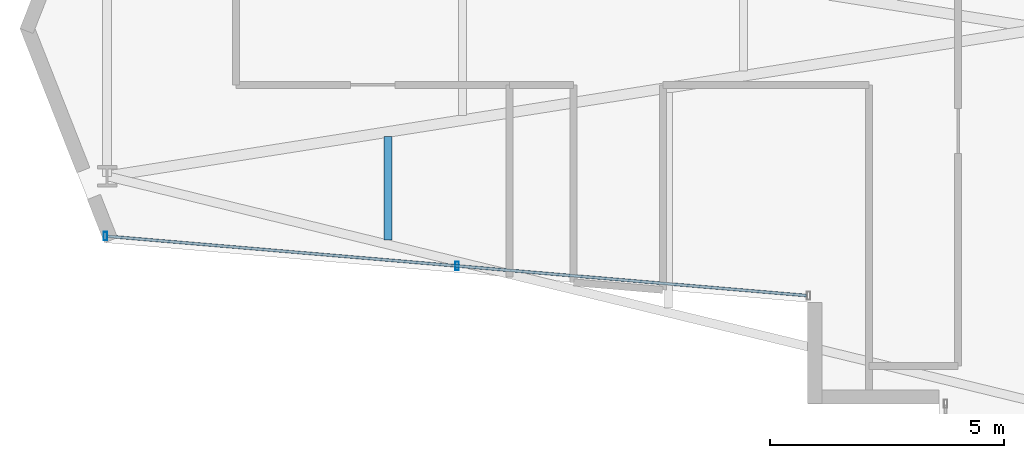
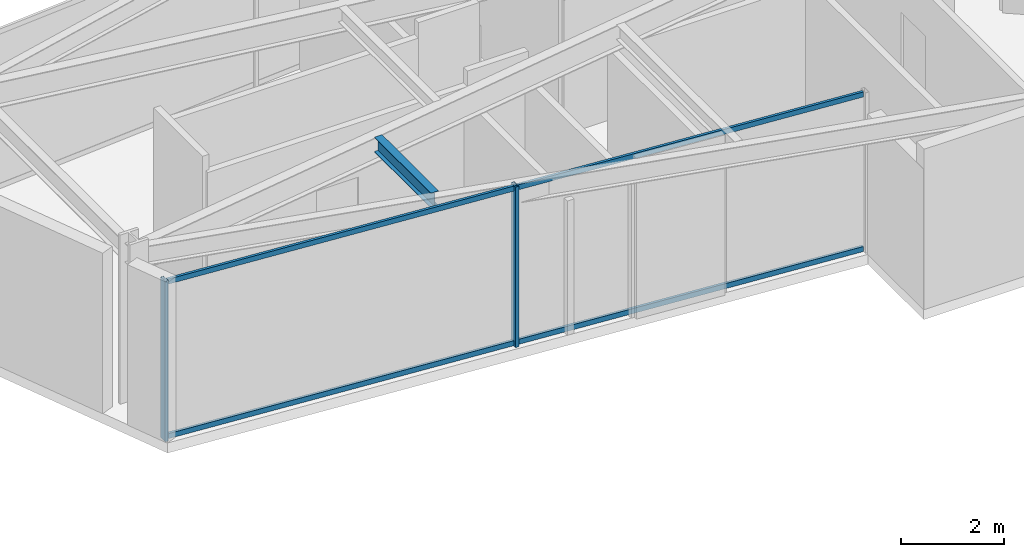
# One storey, part 2 of 25: 4 members, 1 beam, 1 element without a shape of its own.
"""IFC4 building model written with IfcOpenShell, lengths in metres."""

from ifc_helpers import new_model, si_unit, direction, frame, origin, origin_2d, place, context, subcontext, project, spatial, hollow_rectangle, i_section, extrude, material, layer, layer_set, material_profile, profile_set, type_object, element, aggregate, save


model = new_model("IFC4")

# Units and contexts
model_context = context("Model", 3, precision=1e-05, world=origin(), true_north=direction((0.0, 1.0)))
body_context = subcontext(model_context, "Body", "Model", "MODEL_VIEW")
ifc_project = project(units=[si_unit("LENGTHUNIT", "METRE"), si_unit("AREAUNIT", "SQUARE_METRE"), si_unit("VOLUMEUNIT", "CUBIC_METRE"), si_unit("PLANEANGLEUNIT", "RADIAN"), si_unit("MASSUNIT", "GRAM", prefix="KILO")], contexts=[model_context])

# Site, building, storey
site_placement = place(None, origin())
site = spatial("IfcSite", under=ifc_project, at=site_placement, CompositionType="ELEMENT")
building_placement = place(site_placement, origin())
building = spatial("IfcBuilding", under=site, at=building_placement, Name="Veymaron Broadcast Tower", CompositionType="ELEMENT")
storey_placement = place(building_placement, frame((0.0, 0.0, 141.14990234375)))
storey = spatial("IfcBuildingStorey", under=building, at=storey_placement, Name="L32", CompositionType="ELEMENT", Elevation=141.14990234375)

# Beam
ifc_material_1 = material(Name="Structural steel ASTM A992 Gr 50", Category="steel")
ifc_material_profile_1 = material_profile(ifc_material_1, i_section(OverallWidth=0.1708984375, OverallDepth=0.35498046875, WebThickness=0.007080078125, FlangeThickness=0.01171875, at=origin_2d()), Name="W360X51")
ifc_profile_set_1 = profile_set([ifc_material_profile_1], Name="Structural steel ASTM A992 Gr 50")
beam_type = type_object("IfcBeamType", Name="BM-JS2", PredefinedType="JOIST", material=ifc_profile_set_1)
beam_placement = place(storey_placement, frame((17.235107421875, 19.4951171875, 3.632568359375), z_axis=(0.0, 1.0, 0.0), x_axis=(-1.0, 0.0, 0.0)))
element("IfcBeam", 1, at=beam_placement, inside=storey, type_object=beam_type, Name="L32 Arm-A secondary joist 1S", PredefinedType="JOIST", context=body_context, shape_type="SweptSolid", body=[
    extrude(i_section(OverallWidth=0.1708984375, OverallDepth=0.35498046875, WebThickness=0.007080078125, FlangeThickness=0.01171875, at=origin_2d()), origin(), (0.0, 0.0, 1.0), 2.199951171875),
])

# Curtain wall, members
ifc_material_2 = material(Name="Anodised aluminium AA 6063-T6 and laminated low-E dark glass", Category="aluminium")
ifc_layer = layer(ifc_material_2, 0.179931640625)
ifc_layer_set = layer_set([ifc_layer], Name="Anodised aluminium AA 6063-T6 and laminated low-E dark glass")
curtain_wall_type = type_object("IfcCurtainWallType", Name="CW-SYS-03", PredefinedType="NOTDEFINED", material=ifc_layer_set)
curtain_wall_placement = place(storey_placement, origin())
curtain_wall = element("IfcCurtainWall", 2, at=curtain_wall_placement, inside=storey, type_object=curtain_wall_type, Name="L32 dark-glass curtain wall CW-L32-E14-1", PredefinedType="NOTDEFINED")
ifc_material_3 = material(Name="Anodised aluminium AA 6063-T6", Category="aluminium")
ifc_material_profile_2 = material_profile(ifc_material_3, hollow_rectangle(XDim=0.074951171875, YDim=0.179931640625, WallThickness=0.0048828125, at=origin_2d()), Name="AL180X75X5")
ifc_profile_set_2 = profile_set([ifc_material_profile_2], Name="Anodised aluminium AA 6063-T6")
member_type_1 = type_object("IfcMemberType", Name="CW-MUL-02", PredefinedType="MULLION", material=ifc_profile_set_2)
member_1_placement = place(storey_placement, frame((11.2119140625, 19.57373046875, 0.0), z_axis=(0.0, 0.0, 1.0), x_axis=(1.0, 0.0, 0.0)))
member_1 = element("IfcMember", 3, at=member_1_placement, type_object=member_type_1, Name="CW-L32-E14-1 mullion 0", PredefinedType="MULLION", context=body_context, shape_type="SweptSolid", body=[
    extrude(hollow_rectangle(XDim=0.074951171875, YDim=0.179931640625, WallThickness=0.0048828125, at=origin_2d()), origin(), (0.0, 0.0, 1.0), 3.81005859375),
])
member_2_placement = place(storey_placement, frame((18.7119140625, 18.937744140625, 0.0), z_axis=(0.0, 0.0, 1.0), x_axis=(1.0, 0.0, 0.0)))
member_2 = element("IfcMember", 4, at=member_2_placement, type_object=member_type_1, Name="CW-L32-E14-1 mullion 1", PredefinedType="MULLION", context=body_context, shape_type="SweptSolid", body=[
    extrude(hollow_rectangle(XDim=0.074951171875, YDim=0.179931640625, WallThickness=0.0048828125, at=origin_2d()), origin(), (0.0, 0.0, 1.0), 3.81005859375),
])
ifc_material_profile_3 = material_profile(ifc_material_3, hollow_rectangle(XDim=0.06005859375, YDim=0.1201171875, WallThickness=0.00390625, at=origin_2d()), Name="AL120X60X4")
ifc_profile_set_3 = profile_set([ifc_material_profile_3], Name="Anodised aluminium AA 6063-T6")
member_type_2 = type_object("IfcMemberType", Name="CW-TRN-02", PredefinedType="USERDEFINED", material=ifc_profile_set_3)
member_3_placement = place(storey_placement, frame((11.26171875, 19.569580078125, 0.070068359375), z_axis=(0.99642308754, -0.084504618907, 0.0), x_axis=(0.084504618907, 0.99642308754, 0.0)))
member_3 = element("IfcMember", 5, at=member_3_placement, type_object=member_type_2, Name="CW-L32-E14-1 transom B", ObjectType="TRANSOM", PredefinedType="USERDEFINED", context=body_context, shape_type="SweptSolid", body=[
    extrude(hollow_rectangle(XDim=0.06005859375, YDim=0.1201171875, WallThickness=0.00390625, at=origin_2d()), origin(), (0.0, 0.0, 1.0), 14.953857421875),
])
member_4_placement = place(storey_placement, frame((11.26171875, 19.569580078125, 3.739990234375), z_axis=(0.99642308754, -0.084504618907, 0.0), x_axis=(0.084504618907, 0.99642308754, 0.0)))
member_4 = element("IfcMember", 6, at=member_4_placement, type_object=member_type_2, Name="CW-L32-E14-1 transom T", ObjectType="TRANSOM", PredefinedType="USERDEFINED", context=body_context, shape_type="SweptSolid", body=[
    extrude(hollow_rectangle(XDim=0.06005859375, YDim=0.1201171875, WallThickness=0.00390625, at=origin_2d()), origin(), (0.0, 0.0, 1.0), 14.953857421875),
])
aggregate(curtain_wall, [member_1, member_2, member_3, member_4])

save(model, "model.ifc")
